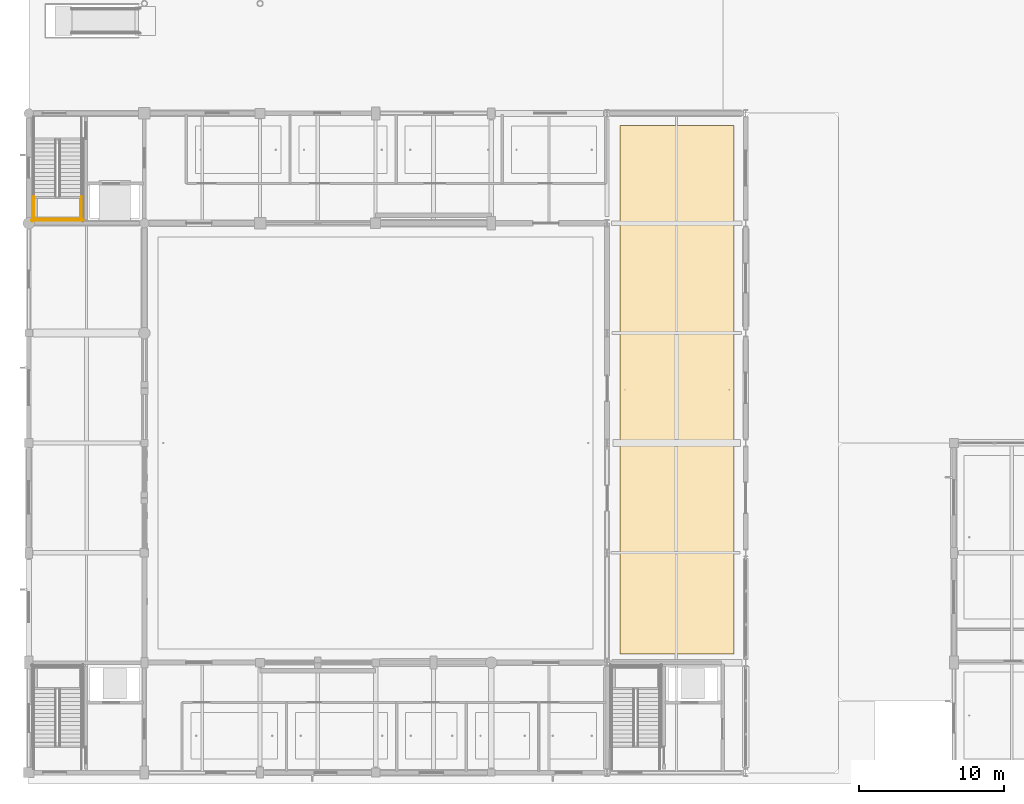
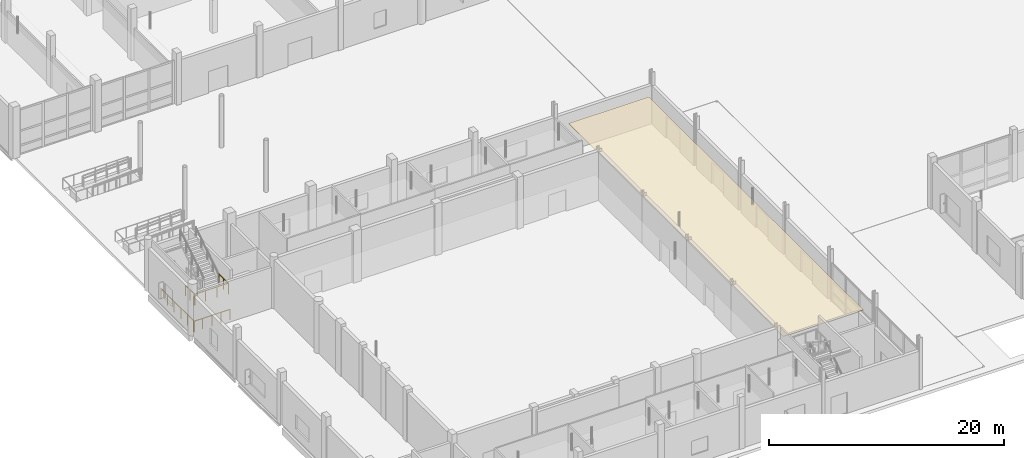
# One storey, part 111 of 126: 5 railings, 1 covering.
"""IFC4 building model written with IfcOpenShell, lengths in metres."""

from ifc_helpers import new_model, si_unit, direction, frame, origin, origin_2d, place, context, subcontext, project, spatial, polyline, circle, outline, extrude, material, layer, layer_set, type_object, element, save


model = new_model("IFC4")

# Units and contexts
model_context = context("Model", 3, precision=1e-05, world=origin(), true_north=direction((0.0, 1.0)))
body_context = subcontext(model_context, "Body", "Model", "MODEL_VIEW")
ifc_project = project(units=[si_unit("LENGTHUNIT", "METRE"), si_unit("AREAUNIT", "SQUARE_METRE"), si_unit("VOLUMEUNIT", "CUBIC_METRE"), si_unit("PLANEANGLEUNIT", "RADIAN"), si_unit("MASSUNIT", "GRAM", prefix="KILO")], contexts=[model_context])

# Site, building, storey
site_placement = place(None, origin())
site = spatial("IfcSite", under=ifc_project, at=site_placement, CompositionType="ELEMENT")
building_placement = place(site_placement, origin())
building = spatial("IfcBuilding", under=site, at=building_placement, Name="Khelvaren Railside Concert Hall", CompositionType="ELEMENT")
storey_placement = place(building_placement, origin())
storey = spatial("IfcBuildingStorey", under=building, at=storey_placement, Name="L00", CompositionType="ELEMENT", Elevation=0.0)

# Covering
ifc_material_1 = material(Name="Mineral-wool acoustic baffle ceiling", Category="gypsum")
ifc_layer = layer(ifc_material_1, 0.0400390625)
ifc_layer_set = layer_set([ifc_layer], Name="Mineral-wool acoustic baffle ceiling")
covering_type = type_object("IfcCoveringType", Name="CLG20", PredefinedType="CEILING", material=ifc_layer_set)
covering_placement = place(storey_placement, frame((0.0, 0.0, 3.409912109375)))
element("IfcCovering", 1, at=covering_placement, inside=storey, type_object=covering_type, Name="Suspended Acoustic Ceiling Grand Arrival Foyer", PredefinedType="CEILING", context=body_context, shape_type="SweptSolid", body=[
    extrude(outline(polyline([(40.89990234375, 8.199951171875), (48.800048828125, 8.199951171875), (48.800048828125, 44.75), (40.89990234375, 44.75), (40.89990234375, 8.199951171875)])), origin(), (0.0, 0.0, 1.0), 0.0400390625),
])

# Railings
ifc_material_2 = material(Name="Painted architectural steel", Category="steel")
railing_type = type_object("IfcRailingType", Name="GRD86", PredefinedType="GUARDRAIL", material=ifc_material_2)
for number, where, name in (
    (2, (0.35009765625, 39.840087890625, 2.699951171875), "L00 ST-11 stair guard 3"),
    (3, (3.64990234375, 39.840087890625, 2.699951171875), "L00 ST-11 stair guard 4"),
):
    element("IfcRailing", number, at=place(storey_placement, frame(where)), inside=storey, type_object=railing_type, Name=name, PredefinedType="GUARDRAIL", context=body_context, shape_type="SweptSolid", body=[
        extrude(circle(Radius=0.02392578125, at=origin_2d()), frame((0.0, 0.0, 1.076171875), z_axis=(0.0, -1.0, 0.0), x_axis=(1.0, 0.0, 0.0)), (0.0, 0.0, 1.0), 1.60009765625),
        extrude(circle(Radius=0.02099609375, at=origin_2d()), origin(), (0.0, 0.0, 1.0), 1.052001953125),
        extrude(circle(Radius=0.02099609375, at=origin_2d()), frame((0.0, -0.800048828125, 0.0)), (0.0, 0.0, 1.0), 1.052001953125),
        extrude(circle(Radius=0.02099609375, at=origin_2d()), frame((0.0, -1.60009765625, 0.0)), (0.0, 0.0, 1.0), 1.052001953125),
    ])
railing_1_placement = place(storey_placement, frame((0.300048828125, 38.2900390625, 2.699951171875)))
element("IfcRailing", 4, at=railing_1_placement, inside=storey, type_object=railing_type, Name="L00 ST-11 stair guard 5", PredefinedType="GUARDRAIL", context=body_context, shape_type="SweptSolid", body=[
    extrude(circle(Radius=0.02392578125, at=origin_2d()), frame((0.0, 0.0, 1.076171875), z_axis=(1.0, 0.0, 0.0), x_axis=(0.0, 1.0, 0.0)), (0.0, 0.0, 1.0), 3.39990234375),
    extrude(circle(Radius=0.02099609375, at=origin_2d()), origin(), (0.0, 0.0, 1.0), 1.052001953125),
    extrude(circle(Radius=0.02099609375, at=origin_2d()), frame((1.13330078125, 0.0, 0.0)), (0.0, 0.0, 1.0), 1.052001953125),
    extrude(circle(Radius=0.02099609375, at=origin_2d()), frame((2.2666015625, 0.0, 0.0)), (0.0, 0.0, 1.0), 1.052001953125),
    extrude(circle(Radius=0.02099609375, at=origin_2d()), frame((3.39990234375, 0.0, 0.0)), (0.0, 0.0, 1.0), 1.052001953125),
])
railing_2_placement = place(storey_placement, frame((0.25, 43.860107421875, 0.0)))
element("IfcRailing", 5, at=railing_2_placement, inside=storey, type_object=railing_type, Name="L00 ST-11 stair guard 10", PredefinedType="GUARDRAIL", context=body_context, shape_type="SweptSolid", body=[
    extrude(circle(Radius=0.02392578125, at=origin_2d()), frame((0.0, 0.0, 1.076171875), z_axis=(0.0, -1.0, 0.0), x_axis=(1.0, 0.0, 0.0)), (0.0, 0.0, 1.0), 5.72021484375),
    extrude(circle(Radius=0.02099609375, at=origin_2d()), origin(), (0.0, 0.0, 1.0), 1.052001953125),
    extrude(circle(Radius=0.02099609375, at=origin_2d()), frame((0.0, -1.14404296875, 0.0)), (0.0, 0.0, 1.0), 1.052001953125),
    extrude(circle(Radius=0.02099609375, at=origin_2d()), frame((0.0, -2.2880859375, 0.0)), (0.0, 0.0, 1.0), 1.052001953125),
    extrude(circle(Radius=0.02099609375, at=origin_2d()), frame((0.0, -3.43212890625, 0.0)), (0.0, 0.0, 1.0), 1.052001953125),
    extrude(circle(Radius=0.02099609375, at=origin_2d()), frame((0.0, -4.576171875, 0.0)), (0.0, 0.0, 1.0), 1.052001953125),
    extrude(circle(Radius=0.02099609375, at=origin_2d()), frame((0.0, -5.72021484375, 0.0)), (0.0, 0.0, 1.0), 1.052001953125),
])
railing_3_placement = place(storey_placement, frame((0.199951171875, 38.18994140625, 0.0)))
element("IfcRailing", 6, at=railing_3_placement, inside=storey, type_object=railing_type, Name="L00 ST-11 stair guard 12", PredefinedType="GUARDRAIL", context=body_context, shape_type="SweptSolid", body=[
    extrude(circle(Radius=0.02392578125, at=origin_2d()), frame((0.0, 0.0, 1.076171875), z_axis=(1.0, 0.0, 0.0), x_axis=(0.0, 1.0, 0.0)), (0.0, 0.0, 1.0), 3.60009765625),
    extrude(circle(Radius=0.02099609375, at=origin_2d()), origin(), (0.0, 0.0, 1.0), 1.052001953125),
    extrude(circle(Radius=0.02099609375, at=origin_2d()), frame((0.89990234375, 0.0, 0.0)), (0.0, 0.0, 1.0), 1.052001953125),
    extrude(circle(Radius=0.02099609375, at=origin_2d()), frame((1.800048828125, 0.0, 0.0)), (0.0, 0.0, 1.0), 1.052001953125),
    extrude(circle(Radius=0.02099609375, at=origin_2d()), frame((2.7001953125, 0.0, 0.0)), (0.0, 0.0, 1.0), 1.052001953125),
    extrude(circle(Radius=0.02099609375, at=origin_2d()), frame((3.60009765625, 0.0, 0.0)), (0.0, 0.0, 1.0), 1.052001953125),
])

save(model, "model.ifc")
